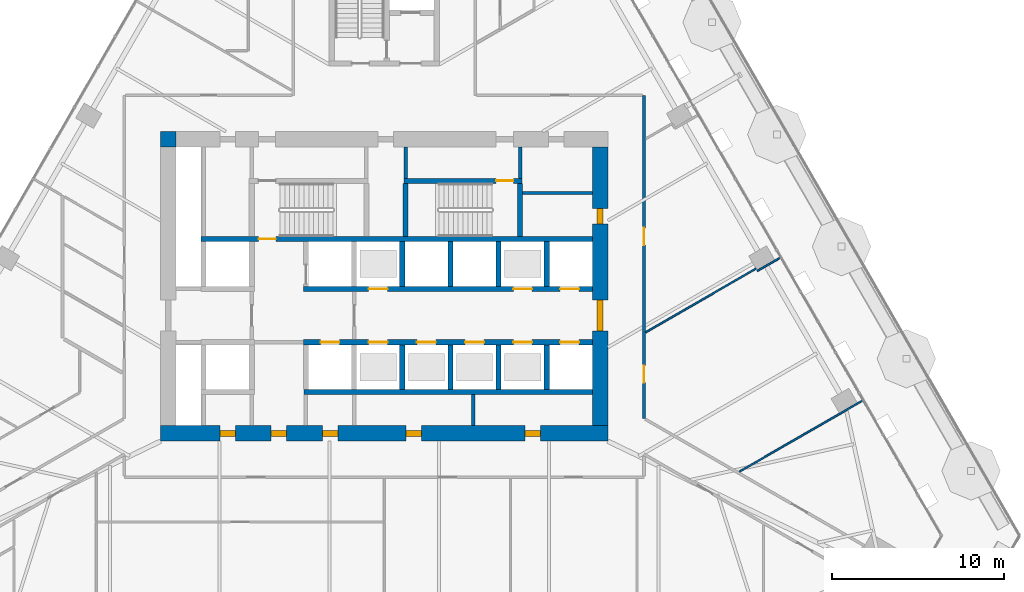
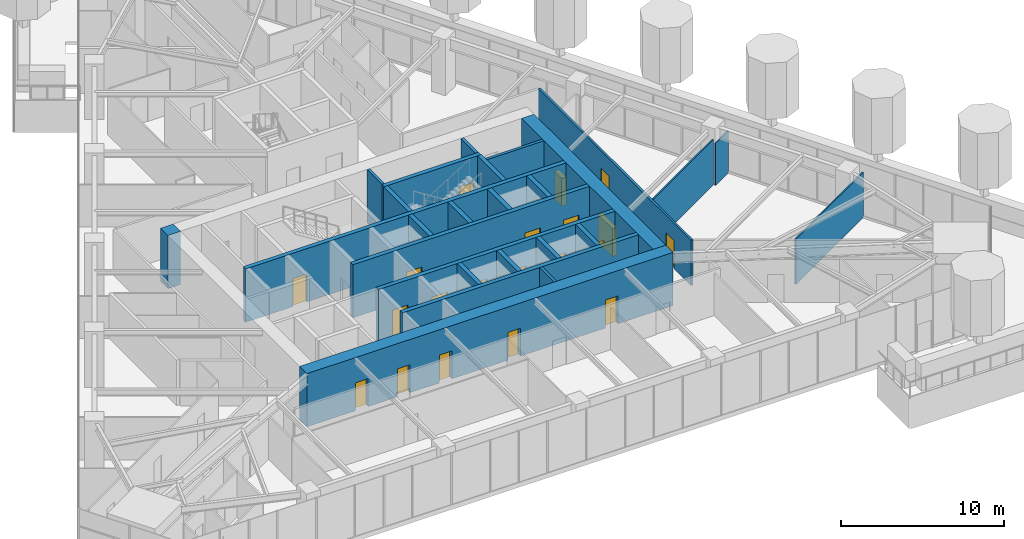
# One storey, part 19 of 26: 26 walls, 20 doors, 20 openings.
"""IFC4 building model written with IfcOpenShell, lengths in metres."""

from ifc_helpers import new_model, si_unit, direction, frame, frame_2d, origin, place, context, subcontext, project, spatial, rectangle, extrude, material, layer, layer_set, type_object, element, fill, save


model = new_model("IFC4")

# Units and contexts
model_context = context("Model", 3, precision=1e-05, world=origin(), true_north=direction((0.0, 1.0)))
body_context = subcontext(model_context, "Body", "Model", "MODEL_VIEW")
ifc_project = project(units=[si_unit("LENGTHUNIT", "METRE"), si_unit("AREAUNIT", "SQUARE_METRE"), si_unit("VOLUMEUNIT", "CUBIC_METRE"), si_unit("PLANEANGLEUNIT", "RADIAN"), si_unit("MASSUNIT", "GRAM", prefix="KILO")], contexts=[model_context])

# Site, building, storey
site_placement = place(None, origin())
site = spatial("IfcSite", under=ifc_project, at=site_placement, CompositionType="ELEMENT")
building_placement = place(site_placement, origin())
building = spatial("IfcBuilding", under=site, at=building_placement, Name="Firuza Gate Tower and Library", CompositionType="ELEMENT")
storey_placement = place(building_placement, frame((0.0, 0.0, 52.60009765625)))
storey = spatial("IfcBuildingStorey", under=building, at=storey_placement, Name="L11", CompositionType="ELEMENT", Elevation=52.60009765625)

# Walls
ifc_material_1 = material(Name="Plasterboard on steel studs", Category="steel")
ifc_layer_1 = layer(ifc_material_1, 0.199951171875)
ifc_layer_set_1 = layer_set([ifc_layer_1], Name="Core partition 200 EI 120")
wall_type_1 = type_object("IfcWallType", Name="Core partition 200 EI 120", PredefinedType="PARTITIONING", material=ifc_layer_set_1)
wall_1_placement = place(storey_placement, frame((80.175048828125, 66.89990234375, 0.0), z_axis=(0.0, 0.0, 1.0), x_axis=(0.0, 1.0, 0.0)))
element("IfcWall", 1, at=wall_1_placement, inside=storey, type_object=wall_type_1, Name="Core partition L11 15", PredefinedType="PARTITIONING", context=body_context, shape_type="SweptSolid", body=[
    extrude(rectangle(XDim=1.800048828125, YDim=0.199951171875, at=frame_2d((0.89990234375, 0.0))), origin(), (0.0, 0.0, 1.0), 4.0),
])
ifc_material_2 = material(Name="Plasterboard on steel studs", Category="steel")
ifc_layer_2 = layer(ifc_material_2, 0.199951171875)
ifc_layer_set_2 = layer_set([ifc_layer_2], Name="Core partition 200 EI 60")
wall_type_2 = type_object("IfcWallType", Name="Core partition 200 EI 60", PredefinedType="PARTITIONING", material=ifc_layer_set_2)
wall_2_placement = place(storey_placement, frame((83.050048828125, 80.425048828125, 0.0), z_axis=(0.0, 0.0, 1.0), x_axis=(1.0, 0.0, 0.0)))
element("IfcWall", 2, at=wall_2_placement, inside=storey, type_object=wall_type_2, Name="Core partition L11 4", PredefinedType="PARTITIONING", context=body_context, shape_type="SweptSolid", body=[
    extrude(rectangle(XDim=4.050048828125, YDim=0.199951171875, at=frame_2d((2.02490234375, 0.0))), origin(), (0.0, 0.0, 1.0), 4.0),
])
for number, where, z_axis, x_axis, name in (
    (3, (76.239990234375, 81.280029296875, 0.0), (0.0, 0.0, 1.0), (0.0, 1.0, 0.0), "Core partition L11 14"),
    (4, (82.89990234375, 81.280029296875, 0.0), (0.0, 0.0, 1.0), (0.0, 1.0, 0.0), "Core partition L11 16"),
):
    element("IfcWall", number, at=place(storey_placement, frame(where, z_axis=z_axis, x_axis=x_axis)), inside=storey, type_object=wall_type_2, Name=name, PredefinedType="PARTITIONING", context=body_context, shape_type="SweptSolid", body=[
        extrude(rectangle(XDim=1.820068359375, YDim=0.199951171875, at=frame_2d((0.91015625, 0.0))), origin(), (0.0, 0.0, 1.0), 4.0),
    ])
ifc_material_3 = material(Name="Concrete C80/95", Category="concrete")
ifc_layer_3 = layer(ifc_material_3, 0.300048828125)
ifc_layer_set_3 = layer_set([ifc_layer_3], Name="Core wall 300 C80/95")
wall_type_3 = type_object("IfcWallType", Name="Core wall 300 C80/95", PredefinedType="SHEAR", material=ifc_layer_set_3)
wall_3_placement = place(storey_placement, frame((70.35009765625, 68.85009765625, 0.0), z_axis=(0.0, 0.0, 1.0), x_axis=(1.0, 0.0, 0.0)))
element("IfcWall", 5, at=wall_3_placement, inside=storey, type_object=wall_type_3, Name="Core wall L11 6", PredefinedType="SHEAR", context=body_context, shape_type="SweptSolid", body=[
    extrude(rectangle(XDim=16.75, YDim=0.300048828125, at=frame_2d((8.375, 0.0))), origin(), (0.0, 0.0, 1.0), 4.0),
])

# Wall, openings, doors
wall_4_placement = place(storey_placement, frame((70.300048828125, 71.75, 0.0), z_axis=(0.0, 0.0, 1.0), x_axis=(1.0, 0.0, 0.0)))
wall_4 = element("IfcWall", 6, at=wall_4_placement, inside=storey, type_object=wall_type_3, Name="Core wall L11 8", PredefinedType="SHEAR", context=body_context, shape_type="SweptSolid", body=[
    extrude(rectangle(XDim=16.800048828125, YDim=0.300048828125, at=frame_2d((8.39990234375, 0.0))), origin(), (0.0, 0.0, 1.0), 4.0),
])
opening_1_placement = place(wall_4_placement, frame((1.0, 0.0, 0.0)))
opening_1 = element("IfcOpeningElement", 7, at=opening_1_placement, cuts=wall_4, Name="Opening LD-FF1-L11", PredefinedType="OPENING", context=body_context, shape_type="SweptSolid", body=[
    extrude(rectangle(XDim=1.10009765625, YDim=2.10009765625, at=frame_2d((0.550048828125, 1.050048828125))), frame((0.0, 0.16015625, 0.0), z_axis=(0.0, -1.0, 0.0), x_axis=(1.0, 0.0, 0.0)), (0.0, 0.0, 1.0), 0.320068359375),
])
opening_2_placement = place(wall_4_placement, frame((3.800048828125, 0.0, 0.0)))
opening_2 = element("IfcOpeningElement", 8, at=opening_2_placement, cuts=wall_4, Name="Opening LD-LR1-L11", PredefinedType="OPENING", context=body_context, shape_type="SweptSolid", body=[
    extrude(rectangle(XDim=1.10009765625, YDim=2.10009765625, at=frame_2d((0.550048828125, 1.050048828125))), frame((0.0, 0.16015625, 0.0), z_axis=(0.0, -1.0, 0.0), x_axis=(1.0, 0.0, 0.0)), (0.0, 0.0, 1.0), 0.320068359375),
])
opening_3_placement = place(wall_4_placement, frame((6.60009765625, 0.0, 0.0)))
opening_3 = element("IfcOpeningElement", 9, at=opening_3_placement, cuts=wall_4, Name="Opening LD-LR2-L11", PredefinedType="OPENING", context=body_context, shape_type="SweptSolid", body=[
    extrude(rectangle(XDim=1.10009765625, YDim=2.10009765625, at=frame_2d((0.550048828125, 1.050048828125))), frame((0.0, 0.16015625, 0.0), z_axis=(0.0, -1.0, 0.0), x_axis=(1.0, 0.0, 0.0)), (0.0, 0.0, 1.0), 0.320068359375),
])
opening_4_placement = place(wall_4_placement, frame((9.39990234375, 0.0, 0.0)))
opening_4 = element("IfcOpeningElement", 10, at=opening_4_placement, cuts=wall_4, Name="Opening LD-LR3-L11", PredefinedType="OPENING", context=body_context, shape_type="SweptSolid", body=[
    extrude(rectangle(XDim=1.10009765625, YDim=2.10009765625, at=frame_2d((0.550048828125, 1.050048828125))), frame((0.0, 0.16015625, 0.0), z_axis=(0.0, -1.0, 0.0), x_axis=(1.0, 0.0, 0.0)), (0.0, 0.0, 1.0), 0.320068359375),
])
opening_5_placement = place(wall_4_placement, frame((12.199951171875, 0.0, 0.0)))
opening_5 = element("IfcOpeningElement", 11, at=opening_5_placement, cuts=wall_4, Name="Opening LD-LR5-L11", PredefinedType="OPENING", context=body_context, shape_type="SweptSolid", body=[
    extrude(rectangle(XDim=1.10009765625, YDim=2.10009765625, at=frame_2d((0.550048828125, 1.050048828125))), frame((0.0, 0.16015625, 0.0), z_axis=(0.0, -1.0, 0.0), x_axis=(1.0, 0.0, 0.0)), (0.0, 0.0, 1.0), 0.320068359375),
])
opening_6_placement = place(wall_4_placement, frame((14.925048828125, 0.0, 0.0)))
opening_6 = element("IfcOpeningElement", 12, at=opening_6_placement, cuts=wall_4, Name="Opening LD-LR7-L11", PredefinedType="OPENING", context=body_context, shape_type="SweptSolid", body=[
    extrude(rectangle(XDim=1.10009765625, YDim=2.10009765625, at=frame_2d((0.550048828125, 1.050048828125))), frame((0.0, 0.16015625, 0.0), z_axis=(0.0, -1.0, 0.0), x_axis=(1.0, 0.0, 0.0)), (0.0, 0.0, 1.0), 0.320068359375),
])
ifc_material_4 = material(Name="Stainless steel", Category="steel")
door_type_1 = type_object("IfcDoorType", Name="Lift landing door 1100x2100", OperationType="DOUBLE_DOOR_SLIDING", PredefinedType="DOOR", material=ifc_material_4)
door_1_placement = place(opening_1_placement, origin())
door_1 = element("IfcDoor", 13, at=door_1_placement, inside=storey, type_object=door_type_1, Name="Landing door FF1 L11", OperationType="DOUBLE_DOOR_SLIDING", OverallHeight=2.10009765625, OverallWidth=1.10009765625, PredefinedType="DOOR", context=body_context, shape_type="SweptSolid", body=[
    extrude(rectangle(XDim=1.10009765625, YDim=2.10009765625, at=frame_2d((0.550048828125, 1.050048828125))), frame((0.0, 0.02490234375, 0.0), z_axis=(0.0, -1.0, 0.0), x_axis=(1.0, 0.0, 0.0)), (0.0, 0.0, 1.0), 0.050048828125),
])
fill(opening_1, door_1)
door_2_placement = place(opening_2_placement, origin())
door_2 = element("IfcDoor", 14, at=door_2_placement, inside=storey, type_object=door_type_1, Name="Landing door LR1 L11", OperationType="DOUBLE_DOOR_SLIDING", OverallHeight=2.10009765625, OverallWidth=1.10009765625, PredefinedType="DOOR", context=body_context, shape_type="SweptSolid", body=[
    extrude(rectangle(XDim=1.10009765625, YDim=2.10009765625, at=frame_2d((0.550048828125, 1.050048828125))), frame((0.0, 0.02490234375, 0.0), z_axis=(0.0, -1.0, 0.0), x_axis=(1.0, 0.0, 0.0)), (0.0, 0.0, 1.0), 0.050048828125),
])
fill(opening_2, door_2)
door_3_placement = place(opening_3_placement, origin())
door_3 = element("IfcDoor", 15, at=door_3_placement, inside=storey, type_object=door_type_1, Name="Landing door LR2 L11", OperationType="DOUBLE_DOOR_SLIDING", OverallHeight=2.10009765625, OverallWidth=1.10009765625, PredefinedType="DOOR", context=body_context, shape_type="SweptSolid", body=[
    extrude(rectangle(XDim=1.10009765625, YDim=2.10009765625, at=frame_2d((0.550048828125, 1.050048828125))), frame((0.0, 0.02490234375, 0.0), z_axis=(0.0, -1.0, 0.0), x_axis=(1.0, 0.0, 0.0)), (0.0, 0.0, 1.0), 0.050048828125),
])
fill(opening_3, door_3)
door_4_placement = place(opening_4_placement, origin())
door_4 = element("IfcDoor", 16, at=door_4_placement, inside=storey, type_object=door_type_1, Name="Landing door LR3 L11", OperationType="DOUBLE_DOOR_SLIDING", OverallHeight=2.10009765625, OverallWidth=1.10009765625, PredefinedType="DOOR", context=body_context, shape_type="SweptSolid", body=[
    extrude(rectangle(XDim=1.10009765625, YDim=2.10009765625, at=frame_2d((0.550048828125, 1.050048828125))), frame((0.0, 0.02490234375, 0.0), z_axis=(0.0, -1.0, 0.0), x_axis=(1.0, 0.0, 0.0)), (0.0, 0.0, 1.0), 0.050048828125),
])
fill(opening_4, door_4)
door_5_placement = place(opening_5_placement, origin())
door_5 = element("IfcDoor", 17, at=door_5_placement, inside=storey, type_object=door_type_1, Name="Landing door LR5 L11", OperationType="DOUBLE_DOOR_SLIDING", OverallHeight=2.10009765625, OverallWidth=1.10009765625, PredefinedType="DOOR", context=body_context, shape_type="SweptSolid", body=[
    extrude(rectangle(XDim=1.10009765625, YDim=2.10009765625, at=frame_2d((0.550048828125, 1.050048828125))), frame((0.0, 0.02490234375, 0.0), z_axis=(0.0, -1.0, 0.0), x_axis=(1.0, 0.0, 0.0)), (0.0, 0.0, 1.0), 0.050048828125),
])
fill(opening_5, door_5)
door_6_placement = place(opening_6_placement, origin())
door_6 = element("IfcDoor", 18, at=door_6_placement, inside=storey, type_object=door_type_1, Name="Landing door LR7 L11", OperationType="DOUBLE_DOOR_SLIDING", OverallHeight=2.10009765625, OverallWidth=1.10009765625, PredefinedType="DOOR", context=body_context, shape_type="SweptSolid", body=[
    extrude(rectangle(XDim=1.10009765625, YDim=2.10009765625, at=frame_2d((0.550048828125, 1.050048828125))), frame((0.0, 0.02490234375, 0.0), z_axis=(0.0, -1.0, 0.0), x_axis=(1.0, 0.0, 0.0)), (0.0, 0.0, 1.0), 0.050048828125),
])
fill(opening_6, door_6)

wall_5_placement = place(storey_placement, frame((70.300048828125, 74.85009765625, 0.0), z_axis=(0.0, 0.0, 1.0), x_axis=(1.0, 0.0, 0.0)))
wall_5 = element("IfcWall", 19, at=wall_5_placement, inside=storey, type_object=wall_type_3, Name="Core wall L11 10", PredefinedType="SHEAR", context=body_context, shape_type="SweptSolid", body=[
    extrude(rectangle(XDim=16.800048828125, YDim=0.300048828125, at=frame_2d((8.39990234375, 0.0))), origin(), (0.0, 0.0, 1.0), 4.0),
])
opening_7_placement = place(wall_5_placement, frame((3.800048828125, 0.0, 0.0)))
opening_7 = element("IfcOpeningElement", 20, at=opening_7_placement, cuts=wall_5, Name="Opening LD-LR4-L11", PredefinedType="OPENING", context=body_context, shape_type="SweptSolid", body=[
    extrude(rectangle(XDim=1.10009765625, YDim=2.10009765625, at=frame_2d((0.550048828125, 1.050048828125))), frame((0.0, 0.16015625, 0.0), z_axis=(0.0, -1.0, 0.0), x_axis=(1.0, 0.0, 0.0)), (0.0, 0.0, 1.0), 0.320068359375),
])
opening_8_placement = place(wall_5_placement, frame((12.199951171875, 0.0, 0.0)))
opening_8 = element("IfcOpeningElement", 21, at=opening_8_placement, cuts=wall_5, Name="Opening LD-LR6-L11", PredefinedType="OPENING", context=body_context, shape_type="SweptSolid", body=[
    extrude(rectangle(XDim=1.10009765625, YDim=2.10009765625, at=frame_2d((0.550048828125, 1.050048828125))), frame((0.0, 0.16015625, 0.0), z_axis=(0.0, -1.0, 0.0), x_axis=(1.0, 0.0, 0.0)), (0.0, 0.0, 1.0), 0.320068359375),
])
opening_9_placement = place(wall_5_placement, frame((14.925048828125, 0.0, 0.0)))
opening_9 = element("IfcOpeningElement", 22, at=opening_9_placement, cuts=wall_5, Name="Opening LD-LR8-L11", PredefinedType="OPENING", context=body_context, shape_type="SweptSolid", body=[
    extrude(rectangle(XDim=1.10009765625, YDim=2.10009765625, at=frame_2d((0.550048828125, 1.050048828125))), frame((0.0, 0.16015625, 0.0), z_axis=(0.0, -1.0, 0.0), x_axis=(1.0, 0.0, 0.0)), (0.0, 0.0, 1.0), 0.320068359375),
])
door_7_placement = place(opening_7_placement, origin())
door_7 = element("IfcDoor", 23, at=door_7_placement, inside=storey, type_object=door_type_1, Name="Landing door LR4 L11", OperationType="DOUBLE_DOOR_SLIDING", OverallHeight=2.10009765625, OverallWidth=1.10009765625, PredefinedType="DOOR", context=body_context, shape_type="SweptSolid", body=[
    extrude(rectangle(XDim=1.10009765625, YDim=2.10009765625, at=frame_2d((0.550048828125, 1.050048828125))), frame((0.0, 0.02490234375, 0.0), z_axis=(0.0, -1.0, 0.0), x_axis=(1.0, 0.0, 0.0)), (0.0, 0.0, 1.0), 0.050048828125),
])
fill(opening_7, door_7)
door_8_placement = place(opening_8_placement, origin())
door_8 = element("IfcDoor", 24, at=door_8_placement, inside=storey, type_object=door_type_1, Name="Landing door LR6 L11", OperationType="DOUBLE_DOOR_SLIDING", OverallHeight=2.10009765625, OverallWidth=1.10009765625, PredefinedType="DOOR", context=body_context, shape_type="SweptSolid", body=[
    extrude(rectangle(XDim=1.10009765625, YDim=2.10009765625, at=frame_2d((0.550048828125, 1.050048828125))), frame((0.0, 0.02490234375, 0.0), z_axis=(0.0, -1.0, 0.0), x_axis=(1.0, 0.0, 0.0)), (0.0, 0.0, 1.0), 0.050048828125),
])
fill(opening_8, door_8)
door_9_placement = place(opening_9_placement, origin())
door_9 = element("IfcDoor", 25, at=door_9_placement, inside=storey, type_object=door_type_1, Name="Landing door LR8 L11", OperationType="DOUBLE_DOOR_SLIDING", OverallHeight=2.10009765625, OverallWidth=1.10009765625, PredefinedType="DOOR", context=body_context, shape_type="SweptSolid", body=[
    extrude(rectangle(XDim=1.10009765625, YDim=2.10009765625, at=frame_2d((0.550048828125, 1.050048828125))), frame((0.0, 0.02490234375, 0.0), z_axis=(0.0, -1.0, 0.0), x_axis=(1.0, 0.0, 0.0)), (0.0, 0.0, 1.0), 0.050048828125),
])
fill(opening_9, door_9)

# Walls
for number, where, z_axis, x_axis, name in (
    (26, (76.050048828125, 69.0, 0.0), (0.0, 0.0, 1.0), (0.0, 1.0, 0.0), "Core wall L11 19"),
    (27, (76.050048828125, 75.0, 0.0), (0.0, 0.0, 1.0), (0.0, 1.0, 0.0), "Core wall L11 20"),
    (28, (78.85009765625, 69.0, 0.0), (0.0, 0.0, 1.0), (0.0, 1.0, 0.0), "Core wall L11 21"),
    (29, (78.85009765625, 75.0, 0.0), (0.0, 0.0, 1.0), (0.0, 1.0, 0.0), "Core wall L11 22"),
    (30, (81.64990234375, 69.0, 0.0), (0.0, 0.0, 1.0), (0.0, 1.0, 0.0), "Core wall L11 23"),
    (31, (81.64990234375, 75.0, 0.0), (0.0, 0.0, 1.0), (0.0, 1.0, 0.0), "Core wall L11 24"),
    (32, (84.449951171875, 69.0, 0.0), (0.0, 0.0, 1.0), (0.0, 1.0, 0.0), "Core wall L11 25"),
    (33, (84.449951171875, 75.0, 0.0), (0.0, 0.0, 1.0), (0.0, 1.0, 0.0), "Core wall L11 26"),
):
    element("IfcWall", number, at=place(storey_placement, frame(where, z_axis=z_axis, x_axis=x_axis)), inside=storey, type_object=wall_type_3, Name=name, PredefinedType="SHEAR", context=body_context, shape_type="SweptSolid", body=[
        extrude(rectangle(XDim=2.60009765625, YDim=0.300048828125, at=frame_2d((1.300048828125, 0.0))), origin(), (0.0, 0.0, 1.0), 4.0),
    ])

# Wall, opening, door
wall_6_placement = place(storey_placement, frame((64.35009765625, 77.75, 0.0), z_axis=(0.0, 0.0, 1.0), x_axis=(1.0, 0.0, 0.0)))
wall_6 = element("IfcWall", 34, at=wall_6_placement, inside=storey, type_object=wall_type_3, Name="Core wall L11 27", PredefinedType="SHEAR", context=body_context, shape_type="SweptSolid", body=[
    extrude(rectangle(XDim=22.75, YDim=0.300048828125, at=frame_2d((11.375, 0.0))), origin(), (0.0, 0.0, 1.0), 4.0),
])
opening_10_placement = place(wall_6_placement, frame((3.344970703125, 0.0, 0.0)))
opening_10 = element("IfcOpeningElement", 35, at=opening_10_placement, cuts=wall_6, Name="Opening L11-K12", PredefinedType="OPENING", context=body_context, shape_type="SweptSolid", body=[
    extrude(rectangle(XDim=1.0, YDim=2.10009765625, at=frame_2d((0.5, 1.050048828125))), frame((0.0, 0.16015625, 0.0), z_axis=(0.0, -1.0, 0.0), x_axis=(1.0, 0.0, 0.0)), (0.0, 0.0, 1.0), 0.320068359375),
])
ifc_material_5 = material(Name="Steel", Category="steel")
door_type_2 = type_object("IfcDoorType", Name="Fire door 1000x2100 FD90", OperationType="NOTDEFINED", PredefinedType="DOOR", material=ifc_material_5)
door_10_placement = place(opening_10_placement, origin())
door_10 = element("IfcDoor", 36, at=door_10_placement, inside=storey, type_object=door_type_2, Name="Door L11-K12", OperationType="SINGLE_SWING_LEFT", OverallHeight=2.10009765625, OverallWidth=1.0, PredefinedType="DOOR", context=body_context, shape_type="SweptSolid", body=[
    extrude(rectangle(XDim=1.0, YDim=2.10009765625, at=frame_2d((0.5, 1.050048828125))), frame((0.0, 0.02490234375, 0.0), z_axis=(0.0, -1.0, 0.0), x_axis=(1.0, 0.0, 0.0)), (0.0, 0.0, 1.0), 0.050048828125),
])
fill(opening_10, door_10)

wall_7_placement = place(storey_placement, frame((76.139892578125, 81.1298828125, 0.0), z_axis=(0.0, 0.0, 1.0), x_axis=(1.0, 0.0, 0.0)))
wall_7 = element("IfcWall", 37, at=wall_7_placement, inside=storey, type_object=wall_type_3, Name="Core wall L11 29", PredefinedType="SHEAR", context=body_context, shape_type="SweptSolid", body=[
    extrude(rectangle(XDim=6.860107421875, YDim=0.300048828125, at=frame_2d((3.43017578125, 0.0))), origin(), (0.0, 0.0, 1.0), 4.0),
])
opening_11_placement = place(wall_7_placement, frame((5.364990234375, 0.0, 0.0)))
opening_11 = element("IfcOpeningElement", 38, at=opening_11_placement, cuts=wall_7, Name="Opening L11-K15", PredefinedType="OPENING", context=body_context, shape_type="SweptSolid", body=[
    extrude(rectangle(XDim=1.0, YDim=2.10009765625, at=frame_2d((0.5, 1.050048828125))), frame((0.0, 0.16015625, 0.0), z_axis=(0.0, -1.0, 0.0), x_axis=(1.0, 0.0, 0.0)), (0.0, 0.0, 1.0), 0.320068359375),
])
door_11_placement = place(opening_11_placement, origin())
door_11 = element("IfcDoor", 39, at=door_11_placement, inside=storey, type_object=door_type_2, Name="Door L11-K15", OperationType="SINGLE_SWING_RIGHT", OverallHeight=2.10009765625, OverallWidth=1.0, PredefinedType="DOOR", context=body_context, shape_type="SweptSolid", body=[
    extrude(rectangle(XDim=1.0, YDim=2.10009765625, at=frame_2d((0.5, 1.050048828125))), frame((0.0, 0.02490234375, 0.0), z_axis=(0.0, -1.0, 0.0), x_axis=(1.0, 0.0, 0.0)), (0.0, 0.0, 1.0), 0.050048828125),
])
fill(opening_11, door_11)

# Walls
for number, where, z_axis, x_axis, name in (
    (40, (76.239990234375, 77.89990234375, 0.0), (0.0, 0.0, 1.0), (0.0, 1.0, 0.0), "Core wall L11 32"),
    (41, (82.89990234375, 77.89990234375, 0.0), (0.0, 0.0, 1.0), (0.0, 1.0, 0.0), "Core wall L11 33"),
):
    element("IfcWall", number, at=place(storey_placement, frame(where, z_axis=z_axis, x_axis=x_axis)), inside=storey, type_object=wall_type_3, Name=name, PredefinedType="SHEAR", context=body_context, shape_type="SweptSolid", body=[
        extrude(rectangle(XDim=3.080078125, YDim=0.300048828125, at=frame_2d((1.5400390625, 0.0))), origin(), (0.0, 0.0, 1.0), 4.0),
    ])

# Wall, openings, doors
ifc_material_6 = material(Name="Concrete C80/95", Category="concrete")
ifc_layer_4 = layer(ifc_material_6, 0.89990234375)
ifc_layer_set_4 = layer_set([ifc_layer_4], Name="Core wall 900 C80/95")
wall_type_4 = type_object("IfcWallType", Name="Core wall 900 C80/95", PredefinedType="SHEAR", material=ifc_layer_set_4)
wall_8_placement = place(storey_placement, frame((62.0, 66.449951171875, 0.0), z_axis=(0.0, 0.0, 1.0), x_axis=(1.0, 0.0, 0.0)))
wall_8 = element("IfcWall", 42, at=wall_8_placement, inside=storey, type_object=wall_type_4, Name="Core wall L11 1", PredefinedType="SHEAR", context=body_context, shape_type="SweptSolid", body=[
    extrude(rectangle(XDim=26.0, YDim=0.89990234375, at=frame_2d((13.0, 0.0))), origin(), (0.0, 0.0, 1.0), 4.0),
])
opening_12_placement = place(wall_8_placement, frame((3.449951171875, 0.0, 0.0)))
opening_12 = element("IfcOpeningElement", 43, at=opening_12_placement, cuts=wall_8, Name="Opening L11-K24", PredefinedType="OPENING", context=body_context, shape_type="SweptSolid", body=[
    extrude(rectangle(XDim=0.89990234375, YDim=2.10009765625, at=frame_2d((0.449951171875, 1.050048828125))), frame((0.0, 0.4599609375, 0.0), z_axis=(0.0, -1.0, 0.0), x_axis=(1.0, 0.0, 0.0)), (0.0, 0.0, 1.0), 0.919921875),
])
opening_13_placement = place(wall_8_placement, frame((6.425048828125, 0.0, 0.0)))
opening_13 = element("IfcOpeningElement", 44, at=opening_13_placement, cuts=wall_8, Name="Opening L11-K25", PredefinedType="OPENING", context=body_context, shape_type="SweptSolid", body=[
    extrude(rectangle(XDim=0.89990234375, YDim=2.10009765625, at=frame_2d((0.449951171875, 1.050048828125))), frame((0.0, 0.4599609375, 0.0), z_axis=(0.0, -1.0, 0.0), x_axis=(1.0, 0.0, 0.0)), (0.0, 0.0, 1.0), 0.919921875),
])
opening_14_placement = place(wall_8_placement, frame((9.39990234375, 0.0, 0.0)))
opening_14 = element("IfcOpeningElement", 45, at=opening_14_placement, cuts=wall_8, Name="Opening L11-K26", PredefinedType="OPENING", context=body_context, shape_type="SweptSolid", body=[
    extrude(rectangle(XDim=0.89990234375, YDim=2.10009765625, at=frame_2d((0.449951171875, 1.050048828125))), frame((0.0, 0.4599609375, 0.0), z_axis=(0.0, -1.0, 0.0), x_axis=(1.0, 0.0, 0.0)), (0.0, 0.0, 1.0), 0.919921875),
])
opening_15_placement = place(wall_8_placement, frame((14.262451171875, 0.0, 0.0)))
opening_15 = element("IfcOpeningElement", 46, at=opening_15_placement, cuts=wall_8, Name="Opening L11-K27", PredefinedType="OPENING", context=body_context, shape_type="SweptSolid", body=[
    extrude(rectangle(XDim=0.89990234375, YDim=2.10009765625, at=frame_2d((0.449951171875, 1.050048828125))), frame((0.0, 0.4599609375, 0.0), z_axis=(0.0, -1.0, 0.0), x_axis=(1.0, 0.0, 0.0)), (0.0, 0.0, 1.0), 0.919921875),
])
opening_16_placement = place(wall_8_placement, frame((21.1875, 0.0, 0.0)))
opening_16 = element("IfcOpeningElement", 47, at=opening_16_placement, cuts=wall_8, Name="Opening L11-K28", PredefinedType="OPENING", context=body_context, shape_type="SweptSolid", body=[
    extrude(rectangle(XDim=0.89990234375, YDim=2.10009765625, at=frame_2d((0.449951171875, 1.050048828125))), frame((0.0, 0.4599609375, 0.0), z_axis=(0.0, -1.0, 0.0), x_axis=(1.0, 0.0, 0.0)), (0.0, 0.0, 1.0), 0.919921875),
])
ifc_material_7 = material(Name="Steel", Category="steel")
door_type_3 = type_object("IfcDoorType", Name="Fire door 900x2100 FD30S", OperationType="NOTDEFINED", PredefinedType="DOOR", material=ifc_material_7)
door_12_placement = place(opening_12_placement, origin())
door_12 = element("IfcDoor", 48, at=door_12_placement, inside=storey, type_object=door_type_3, Name="Door L11-K24", OperationType="SINGLE_SWING_LEFT", OverallHeight=2.10009765625, OverallWidth=0.89990234375, PredefinedType="DOOR", context=body_context, shape_type="SweptSolid", body=[
    extrude(rectangle(XDim=0.89990234375, YDim=2.10009765625, at=frame_2d((0.449951171875, 1.050048828125))), frame((0.0, 0.169921875, 0.0), z_axis=(0.0, -1.0, 0.0), x_axis=(1.0, 0.0, 0.0)), (0.0, 0.0, 1.0), 0.33984375),
])
fill(opening_12, door_12)
door_13_placement = place(opening_13_placement, origin())
door_13 = element("IfcDoor", 49, at=door_13_placement, inside=storey, type_object=door_type_3, Name="Door L11-K25", OperationType="SINGLE_SWING_RIGHT", OverallHeight=2.10009765625, OverallWidth=0.89990234375, PredefinedType="DOOR", context=body_context, shape_type="SweptSolid", body=[
    extrude(rectangle(XDim=0.89990234375, YDim=2.10009765625, at=frame_2d((0.449951171875, 1.050048828125))), frame((0.0, 0.169921875, 0.0), z_axis=(0.0, -1.0, 0.0), x_axis=(1.0, 0.0, 0.0)), (0.0, 0.0, 1.0), 0.33984375),
])
fill(opening_13, door_13)
door_14_placement = place(opening_14_placement, origin())
door_14 = element("IfcDoor", 50, at=door_14_placement, inside=storey, type_object=door_type_3, Name="Door L11-K26", OperationType="SINGLE_SWING_LEFT", OverallHeight=2.10009765625, OverallWidth=0.89990234375, PredefinedType="DOOR", context=body_context, shape_type="SweptSolid", body=[
    extrude(rectangle(XDim=0.89990234375, YDim=2.10009765625, at=frame_2d((0.449951171875, 1.050048828125))), frame((0.0, 0.169921875, 0.0), z_axis=(0.0, -1.0, 0.0), x_axis=(1.0, 0.0, 0.0)), (0.0, 0.0, 1.0), 0.33984375),
])
fill(opening_14, door_14)
door_15_placement = place(opening_15_placement, origin())
door_15 = element("IfcDoor", 51, at=door_15_placement, inside=storey, type_object=door_type_3, Name="Door L11-K27", OperationType="SINGLE_SWING_RIGHT", OverallHeight=2.10009765625, OverallWidth=0.89990234375, PredefinedType="DOOR", context=body_context, shape_type="SweptSolid", body=[
    extrude(rectangle(XDim=0.89990234375, YDim=2.10009765625, at=frame_2d((0.449951171875, 1.050048828125))), frame((0.0, 0.169921875, 0.0), z_axis=(0.0, -1.0, 0.0), x_axis=(1.0, 0.0, 0.0)), (0.0, 0.0, 1.0), 0.33984375),
])
fill(opening_15, door_15)
door_16_placement = place(opening_16_placement, origin())
door_16 = element("IfcDoor", 52, at=door_16_placement, inside=storey, type_object=door_type_3, Name="Door L11-K28", OperationType="SINGLE_SWING_LEFT", OverallHeight=2.10009765625, OverallWidth=0.89990234375, PredefinedType="DOOR", context=body_context, shape_type="SweptSolid", body=[
    extrude(rectangle(XDim=0.89990234375, YDim=2.10009765625, at=frame_2d((0.449951171875, 1.050048828125))), frame((0.0, 0.169921875, 0.0), z_axis=(0.0, -1.0, 0.0), x_axis=(1.0, 0.0, 0.0)), (0.0, 0.0, 1.0), 0.33984375),
])
fill(opening_16, door_16)

wall_9_placement = place(storey_placement, frame((87.550048828125, 66.89990234375, 0.0), z_axis=(0.0, 0.0, 1.0), x_axis=(0.0, 1.0, 0.0)))
wall_9 = element("IfcWall", 53, at=wall_9_placement, inside=storey, type_object=wall_type_4, Name="Core wall L11 4", PredefinedType="SHEAR", context=body_context, shape_type="SweptSolid", body=[
    extrude(rectangle(XDim=16.2001953125, YDim=0.89990234375, at=frame_2d((8.10009765625, 0.0))), origin(), (0.0, 0.0, 1.0), 4.0),
])
opening_17_placement = place(wall_9_placement, frame((5.5, 0.0, 0.0)))
opening_17 = element("IfcOpeningElement", 54, at=opening_17_placement, cuts=wall_9, Name="Opening L11-K23", PredefinedType="OPENING", context=body_context, shape_type="SweptSolid", body=[
    extrude(rectangle(XDim=1.800048828125, YDim=2.10009765625, at=frame_2d((0.89990234375, 1.050048828125))), frame((0.0, 0.4599609375, 0.0), z_axis=(0.0, -1.0, 0.0), x_axis=(1.0, 0.0, 0.0)), (0.0, 0.0, 1.0), 0.919921875),
])
opening_18_placement = place(wall_9_placement, frame((11.737548828125, 0.0, 0.0)))
opening_18 = element("IfcOpeningElement", 55, at=opening_18_placement, cuts=wall_9, Name="Opening L11-K31", PredefinedType="OPENING", context=body_context, shape_type="SweptSolid", body=[
    extrude(rectangle(XDim=0.89990234375, YDim=2.10009765625, at=frame_2d((0.449951171875, 1.050048828125))), frame((0.0, 0.4599609375, 0.0), z_axis=(0.0, -1.0, 0.0), x_axis=(1.0, 0.0, 0.0)), (0.0, 0.0, 1.0), 0.919921875),
])
ifc_material_8 = material(Name="Steel", Category="steel")
door_type_4 = type_object("IfcDoorType", Name="Fire door 1800x2100 FD30S", OperationType="NOTDEFINED", PredefinedType="DOOR", material=ifc_material_8)
door_17_placement = place(opening_17_placement, origin())
door_17 = element("IfcDoor", 56, at=door_17_placement, inside=storey, type_object=door_type_4, Name="Door L11-K23", OperationType="SINGLE_SWING_RIGHT", OverallHeight=2.10009765625, OverallWidth=1.800048828125, PredefinedType="DOOR", context=body_context, shape_type="SweptSolid", body=[
    extrude(rectangle(XDim=1.800048828125, YDim=2.10009765625, at=frame_2d((0.89990234375, 1.050048828125))), frame((0.0, 0.169921875, 0.0), z_axis=(0.0, -1.0, 0.0), x_axis=(1.0, 0.0, 0.0)), (0.0, 0.0, 1.0), 0.33984375),
])
fill(opening_17, door_17)
door_18_placement = place(opening_18_placement, origin())
door_18 = element("IfcDoor", 57, at=door_18_placement, inside=storey, type_object=door_type_3, Name="Door L11-K31", OperationType="SINGLE_SWING_RIGHT", OverallHeight=2.10009765625, OverallWidth=0.89990234375, PredefinedType="DOOR", context=body_context, shape_type="SweptSolid", body=[
    extrude(rectangle(XDim=0.89990234375, YDim=2.10009765625, at=frame_2d((0.449951171875, 1.050048828125))), frame((0.0, 0.169921875, 0.0), z_axis=(0.0, -1.0, 0.0), x_axis=(1.0, 0.0, 0.0)), (0.0, 0.0, 1.0), 0.33984375),
])
fill(opening_18, door_18)

# Wall
wall_10_placement = place(storey_placement, frame((62.0, 83.550048828125, 0.0), z_axis=(0.0, 0.0, 1.0), x_axis=(1.0, 0.0, 0.0)))
element("IfcWall", 58, at=wall_10_placement, inside=storey, type_object=wall_type_4, Name="Core wall L11 40", PredefinedType="SHEAR", context=body_context, shape_type="SweptSolid", body=[
    extrude(rectangle(XDim=0.89990234375, YDim=0.89990234375, at=frame_2d((0.449951171875, 0.0))), origin(), (0.0, 0.0, 1.0), 4.0),
])

# Wall, openings, doors
ifc_material_9 = material(Name="Gypsum board partition")
ifc_layer_5 = layer(ifc_material_9, 0.14990234375)
ifc_layer_set_5 = layer_set([ifc_layer_5], Name="Corridor wall 150 double board on steel studs")
wall_type_5 = type_object("IfcWallType", Name="Corridor wall 150 double board on steel studs", PredefinedType="PARTITIONING", material=ifc_layer_set_5)
wall_11_placement = place(storey_placement, frame((90.10009765625, 86.099609375, 0.0), z_axis=(0.0, 0.0, 1.0), x_axis=(0.0, -1.0, 0.0)))
wall_11 = element("IfcWall", 59, at=wall_11_placement, inside=storey, type_object=wall_type_5, Name="f:L11:w030", PredefinedType="PARTITIONING", context=body_context, shape_type="SweptSolid", body=[
    extrude(rectangle(XDim=18.7783203125, YDim=0.14990234375, at=frame_2d((9.38916015625, 0.0))), origin(), (0.0, 0.0, 1.0), 3.39990234375),
])
opening_19_placement = place(wall_11_placement, frame((7.703857421875, 0.0, 0.0)))
opening_19 = element("IfcOpeningElement", 60, at=opening_19_placement, cuts=wall_11, Name="Opening L11-19", PredefinedType="OPENING", context=body_context, shape_type="SweptSolid", body=[
    extrude(rectangle(XDim=1.0, YDim=2.10009765625, at=frame_2d((0.5, 1.050048828125))), frame((0.0, 0.0849609375, 0.0), z_axis=(0.0, -1.0, 0.0), x_axis=(1.0, 0.0, 0.0)), (0.0, 0.0, 1.0), 0.169921875),
])
opening_20_placement = place(wall_11_placement, frame((15.700927734375, 0.0, 0.0)))
opening_20 = element("IfcOpeningElement", 61, at=opening_20_placement, cuts=wall_11, Name="Opening L11-20", PredefinedType="OPENING", context=body_context, shape_type="SweptSolid", body=[
    extrude(rectangle(XDim=1.0, YDim=2.10009765625, at=frame_2d((0.5, 1.050048828125))), frame((0.0, 0.0849609375, 0.0), z_axis=(0.0, -1.0, 0.0), x_axis=(1.0, 0.0, 0.0)), (0.0, 0.0, 1.0), 0.169921875),
])
ifc_material_10 = material(Name="Steel door and timber leaf", Category="steel")
door_type_5 = type_object("IfcDoorType", Name="Fire door 1000 x 2100 steel frame, timber leaf", OperationType="NOTDEFINED", PredefinedType="DOOR", material=ifc_material_10)
door_19_placement = place(opening_19_placement, origin())
door_19 = element("IfcDoor", 62, at=door_19_placement, inside=storey, type_object=door_type_5, Name="f:L11:d019", OperationType="SINGLE_SWING_LEFT", OverallHeight=2.10009765625, OverallWidth=1.0, PredefinedType="DOOR", context=body_context, shape_type="SweptSolid", body=[
    extrude(rectangle(XDim=1.0, YDim=2.10009765625, at=frame_2d((0.5, 1.050048828125))), frame((0.0, 0.02490234375, 0.0), z_axis=(0.0, -1.0, 0.0), x_axis=(1.0, 0.0, 0.0)), (0.0, 0.0, 1.0), 0.050048828125),
])
fill(opening_19, door_19)
door_20_placement = place(opening_20_placement, origin())
door_20 = element("IfcDoor", 63, at=door_20_placement, inside=storey, type_object=door_type_5, Name="f:L11:d020", OperationType="SINGLE_SWING_RIGHT", OverallHeight=2.10009765625, OverallWidth=1.0, PredefinedType="DOOR", context=body_context, shape_type="SweptSolid", body=[
    extrude(rectangle(XDim=1.0, YDim=2.10009765625, at=frame_2d((0.5, 1.050048828125))), frame((0.0, 0.02490234375, 0.0), z_axis=(0.0, -1.0, 0.0), x_axis=(1.0, 0.0, 0.0)), (0.0, 0.0, 1.0), 0.050048828125),
])
fill(opening_20, door_20)

# Walls
ifc_material_11 = material(Name="Gypsum board partition")
ifc_layer_6 = layer(ifc_material_11, 0.10009765625)
ifc_layer_set_6 = layer_set([ifc_layer_6], Name="Partition 100 gypsum board on steel studs")
wall_type_6 = type_object("IfcWallType", Name="Partition 100 gypsum board on steel studs", PredefinedType="PARTITIONING", material=ifc_layer_set_6)
wall_12_placement = place(storey_placement, frame((95.653076171875, 64.23193359375, 0.0), z_axis=(0.0, 0.0, 1.0), x_axis=(0.866031516549, 0.499989412232, 0.0)))
element("IfcWall", 64, at=wall_12_placement, inside=storey, type_object=wall_type_6, Name="f:L11:w011", PredefinedType="PARTITIONING", context=body_context, shape_type="SweptSolid", body=[
    extrude(rectangle(XDim=8.285888671875, YDim=0.10009765625, at=frame_2d((4.14306640625, 0.0))), origin(), (0.0, 0.0, 1.0), 3.39990234375),
])
wall_13_placement = place(storey_placement, frame((96.685791015625, 75.89599609375, 0.0), z_axis=(0.0, 0.0, 1.0), x_axis=(0.866018739521, 0.500011542666, 0.0)))
element("IfcWall", 65, at=wall_13_placement, inside=storey, type_object=wall_type_6, Name="f:L11:w012", PredefinedType="PARTITIONING", context=body_context, shape_type="SweptSolid", body=[
    extrude(rectangle(XDim=1.5595703125, YDim=0.10009765625, at=frame_2d((0.77978515625, 0.0))), origin(), (0.0, 0.0, 1.0), 3.164794921875),
])
wall_14_placement = place(storey_placement, frame((90.20068359375, 72.330810546875, 0.0), z_axis=(0.0, 0.0, 1.0), x_axis=(0.866022913937, 0.500004312517, 0.0)))
element("IfcWall", 66, at=wall_14_placement, inside=storey, type_object=wall_type_6, Name="f:L11:w013", PredefinedType="PARTITIONING", context=body_context, shape_type="SweptSolid", body=[
    extrude(rectangle(XDim=7.39794921875, YDim=0.10009765625, at=frame_2d((3.698974609375, 0.0))), origin(), (0.0, 0.0, 1.0), 3.39990234375),
])

save(model, "model.ifc")
